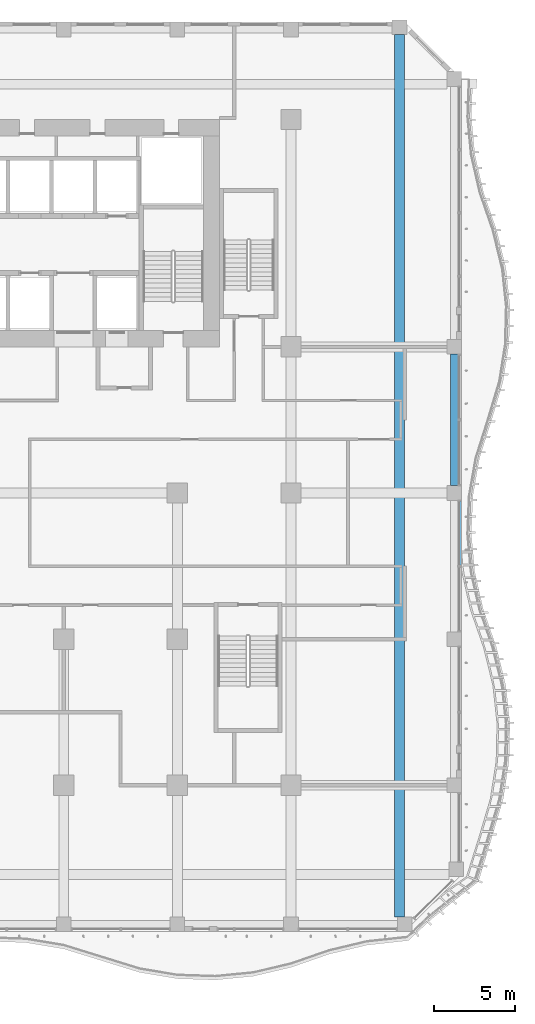
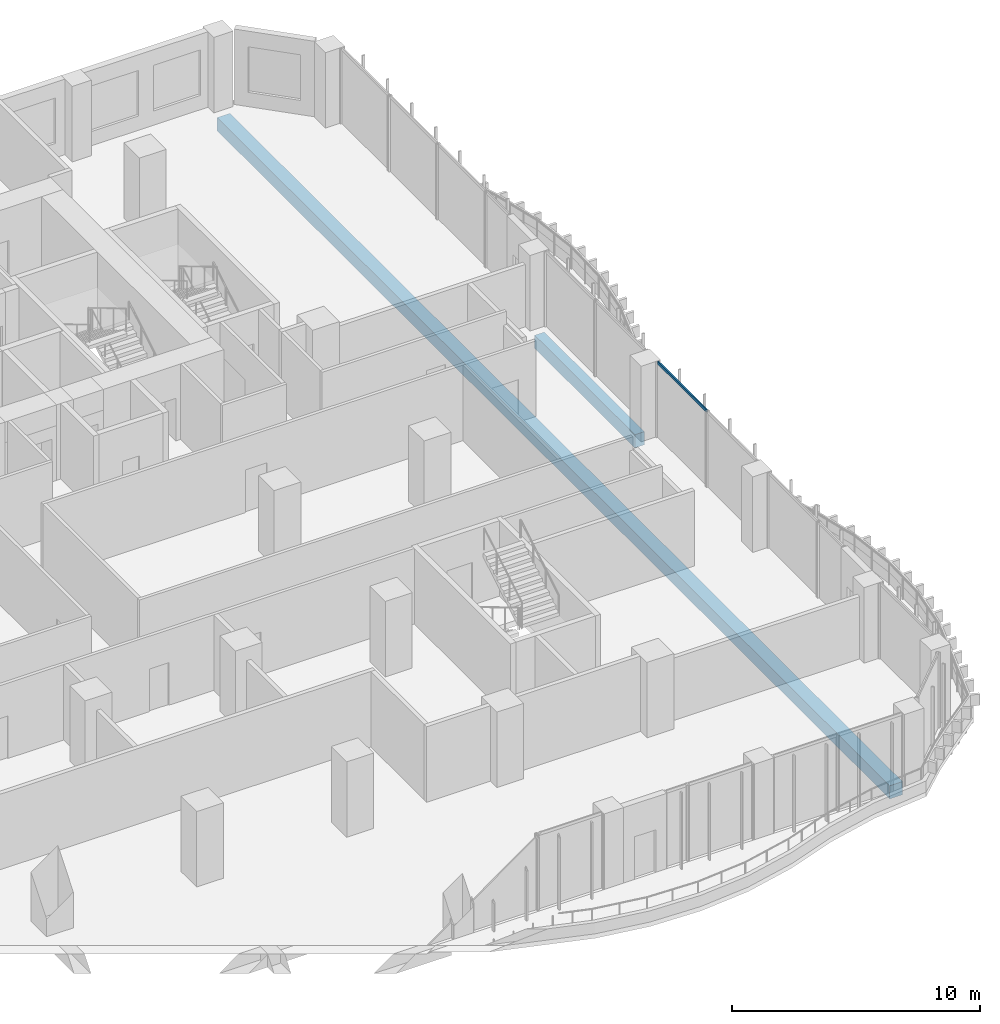
# One storey, part 6 of 27: 2 beams, 1 member, 1 element without a shape of its own.
"""IFC4 building model written with IfcOpenShell, lengths in metres."""

from ifc_helpers import new_model, si_unit, direction, frame, origin, origin_2d, place, context, subcontext, project, spatial, rectangle, extrude, source, transform, mapped, material, material_profile, profile_set, type_object, element, aggregate, save


model = new_model("IFC4")

# Units and contexts
model_context = context("Model", 3, precision=1e-05, world=origin(), true_north=direction((0.0, 1.0)))
body_context = subcontext(model_context, "Body", "Model", "MODEL_VIEW")
ifc_project = project(units=[si_unit("LENGTHUNIT", "METRE"), si_unit("AREAUNIT", "SQUARE_METRE"), si_unit("VOLUMEUNIT", "CUBIC_METRE"), si_unit("PLANEANGLEUNIT", "RADIAN"), si_unit("MASSUNIT", "GRAM", prefix="KILO")], contexts=[model_context])

# Site, building, storey
site_placement = place(None, origin())
site = spatial("IfcSite", under=ifc_project, at=site_placement, CompositionType="ELEMENT")
building_placement = place(site_placement, origin())
building = spatial("IfcBuilding", under=site, at=building_placement, Name="Kilnfold Tower and Market Hall", CompositionType="ELEMENT")
storey_placement = place(building_placement, frame((0.0, 0.0, 71.199951171875)))
storey = spatial("IfcBuildingStorey", under=building, at=storey_placement, Name="L16", CompositionType="ELEMENT", Elevation=71.199951171875)

# Beams
ifc_material_1 = material(Name="Concrete C45", Category="concrete")
ifc_material_profile_1 = material_profile(ifc_material_1, rectangle(XDim=0.60009765625, YDim=0.64990234375, at=origin_2d()), Name="RC 600x650")
ifc_profile_set_1 = profile_set([ifc_material_profile_1], Name="Concrete C45")
beam_type_1 = type_object("IfcBeamType", Name="BEAM 600X650 C45", PredefinedType="BEAM", material=ifc_profile_set_1)
shared_shape_1 = source(origin(), body_context, "Body", "SweptSolid", [
    extrude(rectangle(XDim=0.60009765625, YDim=0.64990234375, at=origin_2d()), origin(), (0.0, 0.0, 1.0), 54.331787109375),
])
beam_1_placement = place(storey_placement, frame((29.179931640625, -27.10009765625, -0.60498046875), z_axis=(0.0, 1.0, 0.0), x_axis=(-1.0, 0.0, 0.0)))
element("IfcBeam", 1, at=beam_1_placement, inside=storey, type_object=beam_type_1, Name="Beam BB650-B2.98", PredefinedType="BEAM", context=body_context, shape_type="MappedRepresentation", body=[
    mapped(shared_shape_1, transform((0.0, 0.0, 0.0))),
])
ifc_material_2 = material(Name="Concrete C45", Category="concrete")
ifc_material_profile_2 = material_profile(ifc_material_2, rectangle(XDim=0.449951171875, YDim=0.64990234375, at=origin_2d()), Name="RC 450x650")
ifc_profile_set_2 = profile_set([ifc_material_profile_2], Name="Concrete C45")
beam_type_2 = type_object("IfcBeamType", Name="EDGE BEAM 450X650 C45", PredefinedType="BEAM", material=ifc_profile_set_2)
shared_shape_2 = source(origin(), body_context, "Body", "SweptSolid", [
    extrude(rectangle(XDim=0.449951171875, YDim=0.64990234375, at=origin_2d()), origin(), (0.0, 0.0, 1.0), 8.10009765625),
])
beam_2_placement = place(storey_placement, frame((32.550048828125, -0.550048828125, -0.60498046875), z_axis=(0.0, 1.0, 0.0), x_axis=(-1.0, 0.0, 0.0)))
element("IfcBeam", 2, at=beam_2_placement, inside=storey, type_object=beam_type_2, Name="Beam EB650-B2.102", PredefinedType="BEAM", context=body_context, shape_type="MappedRepresentation", body=[
    mapped(shared_shape_2, transform((0.0, 0.0, 0.0))),
])

# Curtain wall, member
ifc_material_3 = material(Name="Aluminium and double glazing", Category="aluminium")
curtain_wall_type = type_object("IfcCurtainWallType", Name="CW OF1 VALLEY GLAZING", PredefinedType="NOTDEFINED", material=ifc_material_3)
curtain_wall_placement = place(storey_placement, origin())
curtain_wall = element("IfcCurtainWall", 3, at=curtain_wall_placement, inside=storey, type_object=curtain_wall_type, Name="Curtain wall CW1 L16 E", PredefinedType="NOTDEFINED")
ifc_material_4 = material(Name="Aluminium", Category="aluminium")
ifc_material_profile_3 = material_profile(ifc_material_4, rectangle(XDim=0.06005859375, YDim=0.139892578125, at=origin_2d()), Name="TRANSOM 60x140")
ifc_profile_set_3 = profile_set([ifc_material_profile_3], Name="Aluminium")
member_type = type_object("IfcMemberType", Name="TRANSOM 60X140", PredefinedType="USERDEFINED", material=ifc_profile_set_3)
shared_shape_3 = source(origin(), body_context, "Body", "SweptSolid", [
    extrude(rectangle(XDim=0.06005859375, YDim=0.139892578125, at=origin_2d()), origin(), (0.0, 0.0, 1.0), 3.929931640625),
])
member_placement = place(storey_placement, frame((32.85009765625, -5.43994140625, 3.68994140625), z_axis=(0.0, 1.0, 0.0), x_axis=(-1.0, 0.0, 0.0)))
member = element("IfcMember", 4, at=member_placement, type_object=member_type, Name="CW1 transom 1.2", ObjectType="TRANSOM", PredefinedType="USERDEFINED", context=body_context, shape_type="MappedRepresentation", body=[
    mapped(shared_shape_3, transform((0.0, 0.0, 0.0))),
])
aggregate(curtain_wall, [member])

save(model, "model.ifc")
